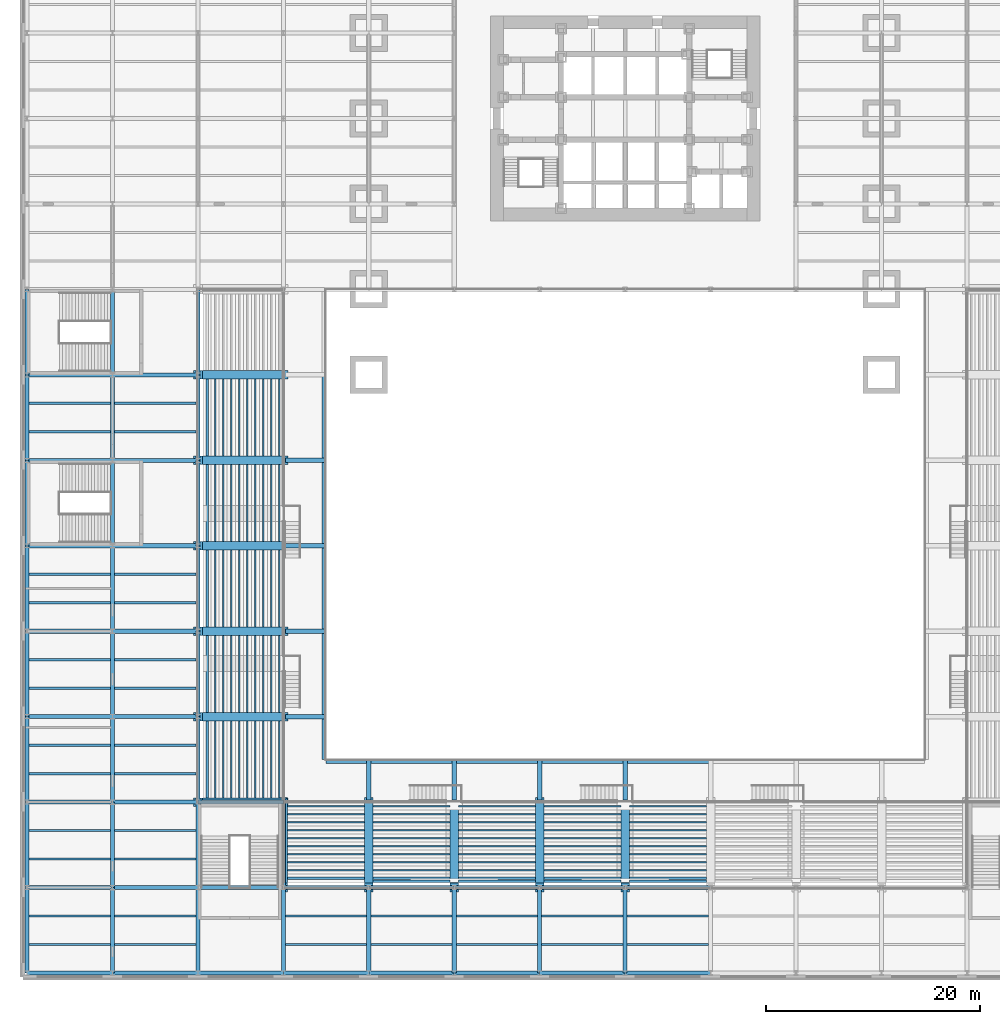
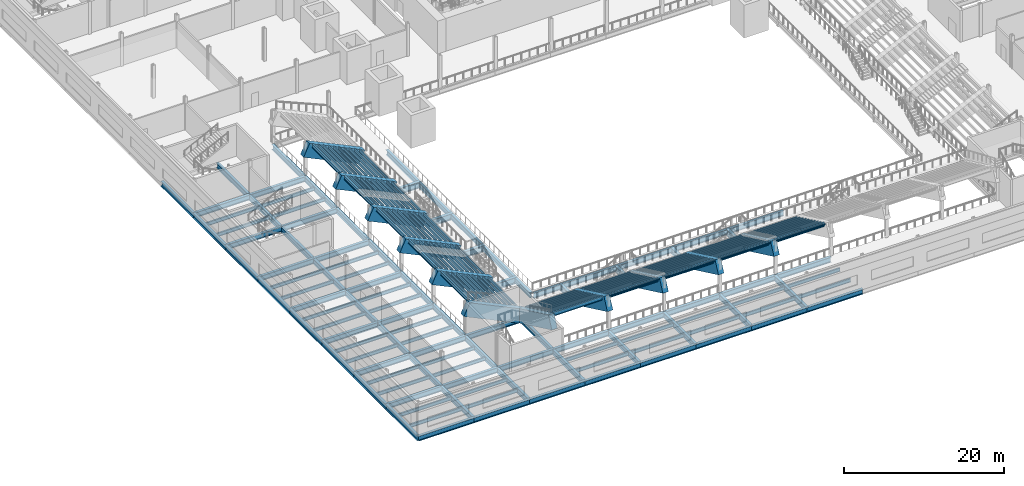
# One storey, part 7 of 27: 224 beams.
"""IFC4 building model written with IfcOpenShell, lengths in metres."""

from ifc_helpers import new_model, si_unit, direction, frame, origin, origin_2d, place, context, subcontext, project, spatial, rectangle, i_section, extrude, material, material_profile, profile_set, type_object, element, save


model = new_model("IFC4")

# Units and contexts
model_context = context("Model", 3, precision=1e-05, world=origin(), true_north=direction((0.0, 1.0)))
body_context = subcontext(model_context, "Body", "Model", "MODEL_VIEW")
ifc_project = project(units=[si_unit("LENGTHUNIT", "METRE"), si_unit("AREAUNIT", "SQUARE_METRE"), si_unit("VOLUMEUNIT", "CUBIC_METRE"), si_unit("PLANEANGLEUNIT", "RADIAN"), si_unit("MASSUNIT", "GRAM", prefix="KILO")], contexts=[model_context])

# Site, building, storey
site_placement = place(None, origin())
site = spatial("IfcSite", under=ifc_project, at=site_placement, CompositionType="ELEMENT")
building_placement = place(site_placement, origin())
building = spatial("IfcBuilding", under=site, at=building_placement, Name="Daluyong Arena Tower", CompositionType="ELEMENT")
storey_placement = place(building_placement, frame((0.0, 0.0, 14.89990234375)))
storey = spatial("IfcBuildingStorey", under=building, at=storey_placement, Name="L03", CompositionType="ELEMENT", Elevation=14.89990234375)

# Beams
ifc_material_1 = material(Name="Steel ASTM A992 Grade 50", Category="steel")
ifc_material_profile_1 = material_profile(ifc_material_1, i_section(OverallWidth=0.424072265625, OverallDepth=0.947509765625, WebThickness=0.02392578125, FlangeThickness=0.042724609375, at=origin_2d()))
ifc_profile_set_1 = profile_set([ifc_material_profile_1], Name="Steel ASTM A992 Grade 50")
beam_type_1 = type_object("IfcBeamType", Name="Cross-aisle bracket W36X302", PredefinedType="BEAM", material=ifc_profile_set_1)
for number, where, z_axis, x_axis, name in (
    (1, (24.203125, 24.0, -0.773681640625), (1.0, 0.0, 0.0), (0.0, 1.0, 0.0), "cross-aisle bracket CB1"),
    (2, (24.203125, 32.0, -0.773681640625), (1.0, 0.0, 0.0), (0.0, 1.0, 0.0), "cross-aisle bracket CB1"),
    (3, (24.203125, 40.0, -0.773681640625), (1.0, 0.0, 0.0), (0.0, 1.0, 0.0), "cross-aisle bracket CB1"),
    (4, (24.203125, 48.0, -0.773681640625), (1.0, 0.0, 0.0), (0.0, 1.0, 0.0), "cross-aisle bracket CB1"),
    (5, (32.0, 16.203125, -0.773681640625), (0.0, 1.0, 0.0), (-1.0, 0.0, 0.0), "cross-aisle bracket CB1"),
    (6, (40.0, 16.203125, -0.773681640625), (0.0, 1.0, 0.0), (-1.0, 0.0, 0.0), "cross-aisle bracket CB1"),
    (7, (48.0, 16.203125, -0.773681640625), (0.0, 1.0, 0.0), (-1.0, 0.0, 0.0), "cross-aisle bracket CB1"),
    (8, (56.0, 16.203125, -0.773681640625), (0.0, 1.0, 0.0), (-1.0, 0.0, 0.0), "cross-aisle bracket CB1"),
):
    element("IfcBeam", number, at=place(storey_placement, frame(where, z_axis=z_axis, x_axis=x_axis)), inside=storey, type_object=beam_type_1, Name=name, PredefinedType="BEAM", context=body_context, shape_type="SweptSolid", body=[
        extrude(i_section(OverallWidth=0.424072265625, OverallDepth=0.947509765625, WebThickness=0.02392578125, FlangeThickness=0.042724609375, at=origin_2d()), origin(), (0.0, 0.0, 1.0), 3.796875),
    ])
ifc_material_2 = material(Name="Steel ASTM A992 Grade 50", Category="steel")
ifc_material_profile_2 = material_profile(ifc_material_2, i_section(OverallWidth=0.381103515625, OverallDepth=0.772216796875, WebThickness=0.0166015625, FlangeThickness=0.027099609375, at=origin_2d()))
ifc_profile_set_2 = profile_set([ifc_material_profile_2], Name="Steel ASTM A992 Grade 50")
beam_type_2 = type_object("IfcBeamType", Name="Cross-aisle edge beam W30X173", PredefinedType="BEAM", material=ifc_profile_set_2)
beam_1_placement = place(storey_placement, frame((27.8095703125, 20.0, -0.68603515625), z_axis=(0.0, 1.0, 0.0), x_axis=(-1.0, 0.0, 0.0)))
element("IfcBeam", 9, at=beam_1_placement, inside=storey, type_object=beam_type_2, Name="cross-aisle edge beam CE1", PredefinedType="BEAM", context=body_context, shape_type="SweptSolid", body=[
    extrude(i_section(OverallWidth=0.381103515625, OverallDepth=0.772216796875, WebThickness=0.0166015625, FlangeThickness=0.027099609375, at=origin_2d()), origin(), (0.0, 0.0, 1.0), 12.0),
])
for number, where, z_axis, x_axis, name in (
    (10, (27.8095703125, 32.0, -0.68603515625), (0.0, 1.0, 0.0), (-1.0, 0.0, 0.0), "cross-aisle edge beam CE1"),
    (11, (27.8095703125, 40.0, -0.68603515625), (0.0, 1.0, 0.0), (-1.0, 0.0, 0.0), "cross-aisle edge beam CE1"),
    (12, (27.8095703125, 48.0, -0.68603515625), (0.0, 1.0, 0.0), (-1.0, 0.0, 0.0), "cross-aisle edge beam CE1"),
):
    element("IfcBeam", number, at=place(storey_placement, frame(where, z_axis=z_axis, x_axis=x_axis)), inside=storey, type_object=beam_type_2, Name=name, PredefinedType="BEAM", context=body_context, shape_type="SweptSolid", body=[
        extrude(i_section(OverallWidth=0.381103515625, OverallDepth=0.772216796875, WebThickness=0.0166015625, FlangeThickness=0.027099609375, at=origin_2d()), origin(), (0.0, 0.0, 1.0), 8.0),
    ])
beam_2_placement = place(storey_placement, frame((28.0, 19.8095703125, -0.68603515625), z_axis=(1.0, 0.0, 0.0), x_axis=(0.0, 1.0, 0.0)))
element("IfcBeam", 13, at=beam_2_placement, inside=storey, type_object=beam_type_2, Name="cross-aisle edge beam CE1", PredefinedType="BEAM", context=body_context, shape_type="SweptSolid", body=[
    extrude(i_section(OverallWidth=0.381103515625, OverallDepth=0.772216796875, WebThickness=0.0166015625, FlangeThickness=0.027099609375, at=origin_2d()), origin(), (0.0, 0.0, 1.0), 12.0),
])
for number, where, z_axis, x_axis, name in (
    (14, (40.0, 19.8095703125, -0.68603515625), (1.0, 0.0, 0.0), (0.0, 1.0, 0.0), "cross-aisle edge beam CE1"),
    (15, (48.0, 19.8095703125, -0.68603515625), (1.0, 0.0, 0.0), (0.0, 1.0, 0.0), "cross-aisle edge beam CE1"),
    (16, (56.0, 19.8095703125, -0.68603515625), (1.0, 0.0, 0.0), (0.0, 1.0, 0.0), "cross-aisle edge beam CE1"),
):
    element("IfcBeam", number, at=place(storey_placement, frame(where, z_axis=z_axis, x_axis=x_axis)), inside=storey, type_object=beam_type_2, Name=name, PredefinedType="BEAM", context=body_context, shape_type="SweptSolid", body=[
        extrude(i_section(OverallWidth=0.381103515625, OverallDepth=0.772216796875, WebThickness=0.0166015625, FlangeThickness=0.027099609375, at=origin_2d()), origin(), (0.0, 0.0, 1.0), 8.0),
    ])
ifc_material_3 = material(Name="Steel ASTM A992 Grade 50", Category="steel")
ifc_material_profile_3 = material_profile(ifc_material_3, i_section(OverallWidth=0.209228515625, OverallDepth=0.533447265625, WebThickness=0.01025390625, FlangeThickness=0.015625, at=origin_2d()))
ifc_profile_set_3 = profile_set([ifc_material_profile_3], Name="Steel ASTM A992 Grade 50")
beam_type_3 = type_object("IfcBeamType", Name="Podium floor beam W21X62", PredefinedType="BEAM", material=ifc_profile_set_3)
for number, where, z_axis, x_axis, name in (
    (17, (0.1904296875, 2.666748046875, -0.466552734375), (1.0, 0.0, 0.0), (0.0, 1.0, 0.0), "podium floor beam PB1"),
    (18, (0.1904296875, 5.333251953125, -0.466552734375), (1.0, 0.0, 0.0), (0.0, 1.0, 0.0), "podium floor beam PB1"),
    (19, (0.1904296875, 10.666748046875, -0.466552734375), (1.0, 0.0, 0.0), (0.0, 1.0, 0.0), "podium floor beam PB1"),
    (20, (0.1904296875, 13.333251953125, -0.466552734375), (1.0, 0.0, 0.0), (0.0, 1.0, 0.0), "podium floor beam PB1"),
    (21, (0.1904296875, 18.666748046875, -0.466552734375), (1.0, 0.0, 0.0), (0.0, 1.0, 0.0), "podium floor beam PB1"),
    (22, (0.1904296875, 21.333251953125, -0.466552734375), (1.0, 0.0, 0.0), (0.0, 1.0, 0.0), "podium floor beam PB1"),
    (23, (0.1904296875, 26.666748046875, -0.466552734375), (1.0, 0.0, 0.0), (0.0, 1.0, 0.0), "podium floor beam PB1"),
    (24, (0.1904296875, 29.333251953125, -0.466552734375), (1.0, 0.0, 0.0), (0.0, 1.0, 0.0), "podium floor beam PB1"),
    (25, (0.1904296875, 34.666748046875, -0.466552734375), (1.0, 0.0, 0.0), (0.0, 1.0, 0.0), "podium floor beam PB1"),
    (26, (0.1904296875, 37.333251953125, -0.466552734375), (1.0, 0.0, 0.0), (0.0, 1.0, 0.0), "podium floor beam PB1"),
    (27, (0.1904296875, 50.666748046875, -0.466552734375), (1.0, 0.0, 0.0), (0.0, 1.0, 0.0), "podium floor beam PB1"),
    (28, (0.1904296875, 53.333251953125, -0.466552734375), (1.0, 0.0, 0.0), (0.0, 1.0, 0.0), "podium floor beam PB1"),
    (29, (8.1904296875, 2.666748046875, -0.466552734375), (1.0, 0.0, 0.0), (0.0, 1.0, 0.0), "podium floor beam PB1"),
    (30, (8.1904296875, 5.333251953125, -0.466552734375), (1.0, 0.0, 0.0), (0.0, 1.0, 0.0), "podium floor beam PB1"),
    (31, (8.1904296875, 10.666748046875, -0.466552734375), (1.0, 0.0, 0.0), (0.0, 1.0, 0.0), "podium floor beam PB1"),
    (32, (8.1904296875, 13.333251953125, -0.466552734375), (1.0, 0.0, 0.0), (0.0, 1.0, 0.0), "podium floor beam PB1"),
    (33, (8.1904296875, 18.666748046875, -0.466552734375), (1.0, 0.0, 0.0), (0.0, 1.0, 0.0), "podium floor beam PB1"),
    (34, (8.1904296875, 21.333251953125, -0.466552734375), (1.0, 0.0, 0.0), (0.0, 1.0, 0.0), "podium floor beam PB1"),
    (35, (8.1904296875, 26.666748046875, -0.466552734375), (1.0, 0.0, 0.0), (0.0, 1.0, 0.0), "podium floor beam PB1"),
    (36, (8.1904296875, 29.333251953125, -0.466552734375), (1.0, 0.0, 0.0), (0.0, 1.0, 0.0), "podium floor beam PB1"),
    (37, (8.1904296875, 34.666748046875, -0.466552734375), (1.0, 0.0, 0.0), (0.0, 1.0, 0.0), "podium floor beam PB1"),
    (38, (8.1904296875, 37.333251953125, -0.466552734375), (1.0, 0.0, 0.0), (0.0, 1.0, 0.0), "podium floor beam PB1"),
    (39, (8.1904296875, 50.666748046875, -0.466552734375), (1.0, 0.0, 0.0), (0.0, 1.0, 0.0), "podium floor beam PB1"),
    (40, (8.1904296875, 53.333251953125, -0.466552734375), (1.0, 0.0, 0.0), (0.0, 1.0, 0.0), "podium floor beam PB1"),
    (41, (24.1904296875, 2.666748046875, -0.466552734375), (1.0, 0.0, 0.0), (0.0, 1.0, 0.0), "podium floor beam PB1"),
    (42, (24.1904296875, 5.333251953125, -0.466552734375), (1.0, 0.0, 0.0), (0.0, 1.0, 0.0), "podium floor beam PB1"),
    (43, (32.1904296875, 2.666748046875, -0.466552734375), (1.0, 0.0, 0.0), (0.0, 1.0, 0.0), "podium floor beam PB1"),
    (44, (32.1904296875, 5.333251953125, -0.466552734375), (1.0, 0.0, 0.0), (0.0, 1.0, 0.0), "podium floor beam PB1"),
    (45, (40.1904296875, 2.666748046875, -0.466552734375), (1.0, 0.0, 0.0), (0.0, 1.0, 0.0), "podium floor beam PB1"),
    (46, (40.1904296875, 5.333251953125, -0.466552734375), (1.0, 0.0, 0.0), (0.0, 1.0, 0.0), "podium floor beam PB1"),
    (47, (48.1904296875, 2.666748046875, -0.466552734375), (1.0, 0.0, 0.0), (0.0, 1.0, 0.0), "podium floor beam PB1"),
    (48, (48.1904296875, 5.333251953125, -0.466552734375), (1.0, 0.0, 0.0), (0.0, 1.0, 0.0), "podium floor beam PB1"),
    (49, (56.1904296875, 2.666748046875, -0.466552734375), (1.0, 0.0, 0.0), (0.0, 1.0, 0.0), "podium floor beam PB1"),
    (50, (56.1904296875, 5.333251953125, -0.466552734375), (1.0, 0.0, 0.0), (0.0, 1.0, 0.0), "podium floor beam PB1"),
):
    element("IfcBeam", number, at=place(storey_placement, frame(where, z_axis=z_axis, x_axis=x_axis)), inside=storey, type_object=beam_type_3, Name=name, PredefinedType="BEAM", context=body_context, shape_type="SweptSolid", body=[
        extrude(i_section(OverallWidth=0.209228515625, OverallDepth=0.533447265625, WebThickness=0.01025390625, FlangeThickness=0.015625, at=origin_2d()), origin(), (0.0, 0.0, 1.0), 7.619140625),
    ])
ifc_material_4 = material(Name="Steel ASTM A992 Grade 50", Category="steel")
ifc_material_profile_4 = material_profile(ifc_material_4, i_section(OverallWidth=0.381103515625, OverallDepth=0.772216796875, WebThickness=0.0166015625, FlangeThickness=0.027099609375, at=origin_2d()))
ifc_profile_set_4 = profile_set([ifc_material_profile_4], Name="Steel ASTM A992 Grade 50")
beam_type_4 = type_object("IfcBeamType", Name="Podium girder W30X173", PredefinedType="BEAM", material=ifc_profile_set_4)
for number, where, z_axis, x_axis, name in (
    (51, (0.0, 0.0, -0.5859375), (1.0, 0.0, 0.0), (0.0, 1.0, 0.0), "podium girder PG1"),
    (52, (0.0, 0.0, -0.5859375), (0.0, 1.0, 0.0), (-1.0, 0.0, 0.0), "podium girder PG1"),
    (53, (0.0, 8.0, -0.5859375), (1.0, 0.0, 0.0), (0.0, 1.0, 0.0), "podium girder PG1"),
    (54, (0.0, 8.0, -0.5859375), (0.0, 1.0, 0.0), (-1.0, 0.0, 0.0), "podium girder PG1"),
    (55, (0.0, 16.0, -0.5859375), (1.0, 0.0, 0.0), (0.0, 1.0, 0.0), "podium girder PG1"),
    (56, (0.0, 16.0, -0.5859375), (0.0, 1.0, 0.0), (-1.0, 0.0, 0.0), "podium girder PG1"),
    (57, (0.0, 24.0, -0.5859375), (1.0, 0.0, 0.0), (0.0, 1.0, 0.0), "podium girder PG1"),
    (58, (0.0, 24.0, -0.5859375), (0.0, 1.0, 0.0), (-1.0, 0.0, 0.0), "podium girder PG1"),
    (59, (0.0, 32.0, -0.5859375), (1.0, 0.0, 0.0), (0.0, 1.0, 0.0), "podium girder PG1"),
    (60, (0.0, 32.0, -0.5859375), (0.0, 1.0, 0.0), (-1.0, 0.0, 0.0), "podium girder PG1"),
    (61, (0.0, 40.0, -0.5859375), (1.0, 0.0, 0.0), (0.0, 1.0, 0.0), "podium girder PG1"),
    (62, (0.0, 40.0, -0.5859375), (0.0, 1.0, 0.0), (-1.0, 0.0, 0.0), "podium girder PG1"),
    (63, (0.0, 48.0, -0.5859375), (1.0, 0.0, 0.0), (0.0, 1.0, 0.0), "podium girder PG1"),
    (64, (0.0, 48.0, -0.5859375), (0.0, 1.0, 0.0), (-1.0, 0.0, 0.0), "podium girder PG1"),
    (65, (0.0, 56.0, -0.5859375), (1.0, 0.0, 0.0), (0.0, 1.0, 0.0), "podium girder PG1"),
    (66, (0.0, 56.0, -0.5859375), (0.0, 1.0, 0.0), (-1.0, 0.0, 0.0), "podium girder PG1"),
    (67, (8.0, 0.0, -0.5859375), (1.0, 0.0, 0.0), (0.0, 1.0, 0.0), "podium girder PG1"),
    (68, (8.0, 0.0, -0.5859375), (0.0, 1.0, 0.0), (-1.0, 0.0, 0.0), "podium girder PG1"),
    (69, (8.0, 8.0, -0.5859375), (1.0, 0.0, 0.0), (0.0, 1.0, 0.0), "podium girder PG1"),
    (70, (8.0, 8.0, -0.5859375), (0.0, 1.0, 0.0), (-1.0, 0.0, 0.0), "podium girder PG1"),
    (71, (8.0, 16.0, -0.5859375), (1.0, 0.0, 0.0), (0.0, 1.0, 0.0), "podium girder PG1"),
    (72, (8.0, 16.0, -0.5859375), (0.0, 1.0, 0.0), (-1.0, 0.0, 0.0), "podium girder PG1"),
    (73, (8.0, 24.0, -0.5859375), (1.0, 0.0, 0.0), (0.0, 1.0, 0.0), "podium girder PG1"),
    (74, (8.0, 24.0, -0.5859375), (0.0, 1.0, 0.0), (-1.0, 0.0, 0.0), "podium girder PG1"),
    (75, (8.0, 32.0, -0.5859375), (1.0, 0.0, 0.0), (0.0, 1.0, 0.0), "podium girder PG1"),
    (76, (8.0, 32.0, -0.5859375), (0.0, 1.0, 0.0), (-1.0, 0.0, 0.0), "podium girder PG1"),
    (77, (8.0, 40.0, -0.5859375), (1.0, 0.0, 0.0), (0.0, 1.0, 0.0), "podium girder PG1"),
    (78, (8.0, 40.0, -0.5859375), (0.0, 1.0, 0.0), (-1.0, 0.0, 0.0), "podium girder PG1"),
    (79, (8.0, 48.0, -0.5859375), (1.0, 0.0, 0.0), (0.0, 1.0, 0.0), "podium girder PG1"),
    (80, (8.0, 48.0, -0.5859375), (0.0, 1.0, 0.0), (-1.0, 0.0, 0.0), "podium girder PG1"),
    (81, (8.0, 56.0, -0.5859375), (1.0, 0.0, 0.0), (0.0, 1.0, 0.0), "podium girder PG1"),
    (82, (8.0, 56.0, -0.5859375), (0.0, 1.0, 0.0), (-1.0, 0.0, 0.0), "podium girder PG1"),
    (83, (16.0, 0.0, -0.5859375), (1.0, 0.0, 0.0), (0.0, 1.0, 0.0), "podium girder PG1"),
    (84, (16.0, 0.0, -0.5859375), (0.0, 1.0, 0.0), (-1.0, 0.0, 0.0), "podium girder PG1"),
    (85, (16.0, 8.0, -0.5859375), (1.0, 0.0, 0.0), (0.0, 1.0, 0.0), "podium girder PG1"),
    (86, (16.0, 8.0, -0.5859375), (0.0, 1.0, 0.0), (-1.0, 0.0, 0.0), "podium girder PG1"),
    (87, (16.0, 16.0, -0.5859375), (1.0, 0.0, 0.0), (0.0, 1.0, 0.0), "podium girder PG1"),
    (88, (16.0, 16.0, -0.5859375), (0.0, 1.0, 0.0), (-1.0, 0.0, 0.0), "podium girder PG1"),
    (89, (16.0, 24.0, -0.5859375), (0.0, 1.0, 0.0), (-1.0, 0.0, 0.0), "podium girder PG1"),
    (90, (16.0, 32.0, -0.5859375), (0.0, 1.0, 0.0), (-1.0, 0.0, 0.0), "podium girder PG1"),
    (91, (16.0, 40.0, -0.5859375), (0.0, 1.0, 0.0), (-1.0, 0.0, 0.0), "podium girder PG1"),
    (92, (16.0, 48.0, -0.5859375), (0.0, 1.0, 0.0), (-1.0, 0.0, 0.0), "podium girder PG1"),
    (93, (16.0, 56.0, -0.5859375), (0.0, 1.0, 0.0), (-1.0, 0.0, 0.0), "podium girder PG1"),
    (94, (24.0, 0.0, -0.5859375), (1.0, 0.0, 0.0), (0.0, 1.0, 0.0), "podium girder PG1"),
    (95, (24.0, 0.0, -0.5859375), (0.0, 1.0, 0.0), (-1.0, 0.0, 0.0), "podium girder PG1"),
    (96, (24.0, 8.0, -0.5859375), (1.0, 0.0, 0.0), (0.0, 1.0, 0.0), "podium girder PG1"),
    (97, (24.0, 8.0, -0.5859375), (0.0, 1.0, 0.0), (-1.0, 0.0, 0.0), "podium girder PG1"),
    (98, (32.0, 0.0, -0.5859375), (1.0, 0.0, 0.0), (0.0, 1.0, 0.0), "podium girder PG1"),
    (99, (32.0, 0.0, -0.5859375), (0.0, 1.0, 0.0), (-1.0, 0.0, 0.0), "podium girder PG1"),
    (100, (32.0, 8.0, -0.5859375), (1.0, 0.0, 0.0), (0.0, 1.0, 0.0), "podium girder PG1"),
    (101, (40.0, 0.0, -0.5859375), (1.0, 0.0, 0.0), (0.0, 1.0, 0.0), "podium girder PG1"),
    (102, (40.0, 0.0, -0.5859375), (0.0, 1.0, 0.0), (-1.0, 0.0, 0.0), "podium girder PG1"),
    (103, (40.0, 8.0, -0.5859375), (1.0, 0.0, 0.0), (0.0, 1.0, 0.0), "podium girder PG1"),
    (104, (48.0, 0.0, -0.5859375), (1.0, 0.0, 0.0), (0.0, 1.0, 0.0), "podium girder PG1"),
    (105, (48.0, 0.0, -0.5859375), (0.0, 1.0, 0.0), (-1.0, 0.0, 0.0), "podium girder PG1"),
    (106, (48.0, 8.0, -0.5859375), (1.0, 0.0, 0.0), (0.0, 1.0, 0.0), "podium girder PG1"),
    (107, (56.0, 0.0, -0.5859375), (1.0, 0.0, 0.0), (0.0, 1.0, 0.0), "podium girder PG1"),
    (108, (56.0, 0.0, -0.5859375), (0.0, 1.0, 0.0), (-1.0, 0.0, 0.0), "podium girder PG1"),
    (109, (56.0, 8.0, -0.5859375), (1.0, 0.0, 0.0), (0.0, 1.0, 0.0), "podium girder PG1"),
):
    element("IfcBeam", number, at=place(storey_placement, frame(where, z_axis=z_axis, x_axis=x_axis)), inside=storey, type_object=beam_type_4, Name=name, PredefinedType="BEAM", context=body_context, shape_type="SweptSolid", body=[
        extrude(i_section(OverallWidth=0.381103515625, OverallDepth=0.772216796875, WebThickness=0.0166015625, FlangeThickness=0.027099609375, at=origin_2d()), origin(), (0.0, 0.0, 1.0), 8.0),
    ])
ifc_material_5 = material(Name="Steel ASTM A992 Grade 50", Category="steel")
ifc_material_profile_5 = material_profile(ifc_material_5, i_section(OverallWidth=0.140380859375, OverallDepth=0.40380859375, WebThickness=0.007080078125, FlangeThickness=0.01123046875, at=origin_2d()))
ifc_profile_set_5 = profile_set([ifc_material_profile_5], Name="Steel ASTM A992 Grade 50")
beam_type_5 = type_object("IfcBeamType", Name="Seating beam W16X31", PredefinedType="BEAM", material=ifc_profile_set_5)
for number, where, z_axis, x_axis, name in (
    (110, (23.625, 16.39990234375, 1.226806640625), (0.0, 1.0, 0.0), (-1.0, 0.0, 0.0), "seating beam SN1"),
    (111, (23.625, 24.39990234375, 1.226806640625), (0.0, 1.0, 0.0), (-1.0, 0.0, 0.0), "seating beam SN1"),
    (112, (23.625, 32.39990234375, 1.226806640625), (0.0, 1.0, 0.0), (-1.0, 0.0, 0.0), "seating beam SN1"),
    (113, (23.625, 40.39990234375, 1.226806640625), (0.0, 1.0, 0.0), (-1.0, 0.0, 0.0), "seating beam SN1"),
    (114, (23.625, 48.39990234375, 1.226806640625), (0.0, 1.0, 0.0), (-1.0, 0.0, 0.0), "seating beam SN1"),
    (115, (24.39990234375, 15.625, 1.226806640625), (1.0, 0.0, 0.0), (0.0, 1.0, 0.0), "seating beam SN1"),
    (116, (32.39990234375, 15.625, 1.226806640625), (1.0, 0.0, 0.0), (0.0, 1.0, 0.0), "seating beam SN1"),
    (117, (40.39990234375, 15.625, 1.226806640625), (1.0, 0.0, 0.0), (0.0, 1.0, 0.0), "seating beam SN1"),
    (118, (48.39990234375, 15.625, 1.226806640625), (1.0, 0.0, 0.0), (0.0, 1.0, 0.0), "seating beam SN1"),
    (119, (56.39990234375, 15.625, 1.226806640625), (1.0, 0.0, 0.0), (0.0, 1.0, 0.0), "seating beam SN1"),
    (120, (22.875, 16.39990234375, 1.583984375), (0.0, 1.0, 0.0), (-1.0, 0.0, 0.0), "seating beam SN1"),
    (121, (22.875, 24.39990234375, 1.583984375), (0.0, 1.0, 0.0), (-1.0, 0.0, 0.0), "seating beam SN1"),
    (122, (22.875, 32.39990234375, 1.583984375), (0.0, 1.0, 0.0), (-1.0, 0.0, 0.0), "seating beam SN1"),
    (123, (22.875, 40.39990234375, 1.583984375), (0.0, 1.0, 0.0), (-1.0, 0.0, 0.0), "seating beam SN1"),
    (124, (22.875, 48.39990234375, 1.583984375), (0.0, 1.0, 0.0), (-1.0, 0.0, 0.0), "seating beam SN1"),
    (125, (24.39990234375, 14.875, 1.583984375), (1.0, 0.0, 0.0), (0.0, 1.0, 0.0), "seating beam SN1"),
    (126, (32.39990234375, 14.875, 1.583984375), (1.0, 0.0, 0.0), (0.0, 1.0, 0.0), "seating beam SN1"),
    (127, (40.39990234375, 14.875, 1.583984375), (1.0, 0.0, 0.0), (0.0, 1.0, 0.0), "seating beam SN1"),
    (128, (48.39990234375, 14.875, 1.583984375), (1.0, 0.0, 0.0), (0.0, 1.0, 0.0), "seating beam SN1"),
    (129, (56.39990234375, 14.875, 1.583984375), (1.0, 0.0, 0.0), (0.0, 1.0, 0.0), "seating beam SN1"),
    (130, (22.125, 16.39990234375, 1.94091796875), (0.0, 1.0, 0.0), (-1.0, 0.0, 0.0), "seating beam SN1"),
    (131, (22.125, 24.39990234375, 1.94091796875), (0.0, 1.0, 0.0), (-1.0, 0.0, 0.0), "seating beam SN1"),
    (132, (22.125, 32.39990234375, 1.94091796875), (0.0, 1.0, 0.0), (-1.0, 0.0, 0.0), "seating beam SN1"),
    (133, (22.125, 40.39990234375, 1.94091796875), (0.0, 1.0, 0.0), (-1.0, 0.0, 0.0), "seating beam SN1"),
    (134, (22.125, 48.39990234375, 1.94091796875), (0.0, 1.0, 0.0), (-1.0, 0.0, 0.0), "seating beam SN1"),
    (135, (24.39990234375, 14.125, 1.94091796875), (1.0, 0.0, 0.0), (0.0, 1.0, 0.0), "seating beam SN1"),
    (136, (32.39990234375, 14.125, 1.94091796875), (1.0, 0.0, 0.0), (0.0, 1.0, 0.0), "seating beam SN1"),
    (137, (40.39990234375, 14.125, 1.94091796875), (1.0, 0.0, 0.0), (0.0, 1.0, 0.0), "seating beam SN1"),
    (138, (48.39990234375, 14.125, 1.94091796875), (1.0, 0.0, 0.0), (0.0, 1.0, 0.0), "seating beam SN1"),
    (139, (56.39990234375, 14.125, 1.94091796875), (1.0, 0.0, 0.0), (0.0, 1.0, 0.0), "seating beam SN1"),
    (140, (21.375, 16.39990234375, 2.298095703125), (0.0, 1.0, 0.0), (-1.0, 0.0, 0.0), "seating beam SN1"),
    (141, (21.375, 24.39990234375, 2.298095703125), (0.0, 1.0, 0.0), (-1.0, 0.0, 0.0), "seating beam SN1"),
    (142, (21.375, 32.39990234375, 2.298095703125), (0.0, 1.0, 0.0), (-1.0, 0.0, 0.0), "seating beam SN1"),
    (143, (21.375, 40.39990234375, 2.298095703125), (0.0, 1.0, 0.0), (-1.0, 0.0, 0.0), "seating beam SN1"),
    (144, (21.375, 48.39990234375, 2.298095703125), (0.0, 1.0, 0.0), (-1.0, 0.0, 0.0), "seating beam SN1"),
    (145, (24.39990234375, 13.375, 2.298095703125), (1.0, 0.0, 0.0), (0.0, 1.0, 0.0), "seating beam SN1"),
    (146, (32.39990234375, 13.375, 2.298095703125), (1.0, 0.0, 0.0), (0.0, 1.0, 0.0), "seating beam SN1"),
    (147, (40.39990234375, 13.375, 2.298095703125), (1.0, 0.0, 0.0), (0.0, 1.0, 0.0), "seating beam SN1"),
    (148, (48.39990234375, 13.375, 2.298095703125), (1.0, 0.0, 0.0), (0.0, 1.0, 0.0), "seating beam SN1"),
    (149, (56.39990234375, 13.375, 2.298095703125), (1.0, 0.0, 0.0), (0.0, 1.0, 0.0), "seating beam SN1"),
    (150, (20.625, 16.39990234375, 2.6552734375), (0.0, 1.0, 0.0), (-1.0, 0.0, 0.0), "seating beam SN1"),
    (151, (20.625, 24.39990234375, 2.6552734375), (0.0, 1.0, 0.0), (-1.0, 0.0, 0.0), "seating beam SN1"),
    (152, (20.625, 32.39990234375, 2.6552734375), (0.0, 1.0, 0.0), (-1.0, 0.0, 0.0), "seating beam SN1"),
    (153, (20.625, 40.39990234375, 2.6552734375), (0.0, 1.0, 0.0), (-1.0, 0.0, 0.0), "seating beam SN1"),
    (154, (20.625, 48.39990234375, 2.6552734375), (0.0, 1.0, 0.0), (-1.0, 0.0, 0.0), "seating beam SN1"),
    (155, (24.39990234375, 12.625, 2.6552734375), (1.0, 0.0, 0.0), (0.0, 1.0, 0.0), "seating beam SN1"),
    (156, (32.39990234375, 12.625, 2.6552734375), (1.0, 0.0, 0.0), (0.0, 1.0, 0.0), "seating beam SN1"),
    (157, (40.39990234375, 12.625, 2.6552734375), (1.0, 0.0, 0.0), (0.0, 1.0, 0.0), "seating beam SN1"),
    (158, (48.39990234375, 12.625, 2.6552734375), (1.0, 0.0, 0.0), (0.0, 1.0, 0.0), "seating beam SN1"),
    (159, (56.39990234375, 12.625, 2.6552734375), (1.0, 0.0, 0.0), (0.0, 1.0, 0.0), "seating beam SN1"),
    (160, (19.875, 16.39990234375, 3.012451171875), (0.0, 1.0, 0.0), (-1.0, 0.0, 0.0), "seating beam SN1"),
    (161, (19.875, 24.39990234375, 3.012451171875), (0.0, 1.0, 0.0), (-1.0, 0.0, 0.0), "seating beam SN1"),
    (162, (19.875, 32.39990234375, 3.012451171875), (0.0, 1.0, 0.0), (-1.0, 0.0, 0.0), "seating beam SN1"),
    (163, (19.875, 40.39990234375, 3.012451171875), (0.0, 1.0, 0.0), (-1.0, 0.0, 0.0), "seating beam SN1"),
    (164, (19.875, 48.39990234375, 3.012451171875), (0.0, 1.0, 0.0), (-1.0, 0.0, 0.0), "seating beam SN1"),
    (165, (24.39990234375, 11.875, 3.012451171875), (1.0, 0.0, 0.0), (0.0, 1.0, 0.0), "seating beam SN1"),
    (166, (32.39990234375, 11.875, 3.012451171875), (1.0, 0.0, 0.0), (0.0, 1.0, 0.0), "seating beam SN1"),
    (167, (40.39990234375, 11.875, 3.012451171875), (1.0, 0.0, 0.0), (0.0, 1.0, 0.0), "seating beam SN1"),
    (168, (48.39990234375, 11.875, 3.012451171875), (1.0, 0.0, 0.0), (0.0, 1.0, 0.0), "seating beam SN1"),
    (169, (56.39990234375, 11.875, 3.012451171875), (1.0, 0.0, 0.0), (0.0, 1.0, 0.0), "seating beam SN1"),
    (170, (19.125, 16.39990234375, 3.36962890625), (0.0, 1.0, 0.0), (-1.0, 0.0, 0.0), "seating beam SN1"),
    (171, (19.125, 24.39990234375, 3.36962890625), (0.0, 1.0, 0.0), (-1.0, 0.0, 0.0), "seating beam SN1"),
    (172, (19.125, 32.39990234375, 3.36962890625), (0.0, 1.0, 0.0), (-1.0, 0.0, 0.0), "seating beam SN1"),
    (173, (19.125, 40.39990234375, 3.36962890625), (0.0, 1.0, 0.0), (-1.0, 0.0, 0.0), "seating beam SN1"),
    (174, (19.125, 48.39990234375, 3.36962890625), (0.0, 1.0, 0.0), (-1.0, 0.0, 0.0), "seating beam SN1"),
    (175, (24.39990234375, 11.125, 3.36962890625), (1.0, 0.0, 0.0), (0.0, 1.0, 0.0), "seating beam SN1"),
    (176, (32.39990234375, 11.125, 3.36962890625), (1.0, 0.0, 0.0), (0.0, 1.0, 0.0), "seating beam SN1"),
    (177, (40.39990234375, 11.125, 3.36962890625), (1.0, 0.0, 0.0), (0.0, 1.0, 0.0), "seating beam SN1"),
    (178, (48.39990234375, 11.125, 3.36962890625), (1.0, 0.0, 0.0), (0.0, 1.0, 0.0), "seating beam SN1"),
    (179, (56.39990234375, 11.125, 3.36962890625), (1.0, 0.0, 0.0), (0.0, 1.0, 0.0), "seating beam SN1"),
    (180, (18.375, 16.39990234375, 3.726806640625), (0.0, 1.0, 0.0), (-1.0, 0.0, 0.0), "seating beam SN1"),
    (181, (18.375, 24.39990234375, 3.726806640625), (0.0, 1.0, 0.0), (-1.0, 0.0, 0.0), "seating beam SN1"),
    (182, (18.375, 32.39990234375, 3.726806640625), (0.0, 1.0, 0.0), (-1.0, 0.0, 0.0), "seating beam SN1"),
    (183, (18.375, 40.39990234375, 3.726806640625), (0.0, 1.0, 0.0), (-1.0, 0.0, 0.0), "seating beam SN1"),
    (184, (18.375, 48.39990234375, 3.726806640625), (0.0, 1.0, 0.0), (-1.0, 0.0, 0.0), "seating beam SN1"),
    (185, (24.39990234375, 10.375, 3.726806640625), (1.0, 0.0, 0.0), (0.0, 1.0, 0.0), "seating beam SN1"),
    (186, (32.39990234375, 10.375, 3.726806640625), (1.0, 0.0, 0.0), (0.0, 1.0, 0.0), "seating beam SN1"),
    (187, (40.39990234375, 10.375, 3.726806640625), (1.0, 0.0, 0.0), (0.0, 1.0, 0.0), "seating beam SN1"),
    (188, (48.39990234375, 10.375, 3.726806640625), (1.0, 0.0, 0.0), (0.0, 1.0, 0.0), "seating beam SN1"),
    (189, (56.39990234375, 10.375, 3.726806640625), (1.0, 0.0, 0.0), (0.0, 1.0, 0.0), "seating beam SN1"),
    (190, (17.625, 16.39990234375, 4.083984375), (0.0, 1.0, 0.0), (-1.0, 0.0, 0.0), "seating beam SN1"),
    (191, (17.625, 24.39990234375, 4.083984375), (0.0, 1.0, 0.0), (-1.0, 0.0, 0.0), "seating beam SN1"),
    (192, (17.625, 32.39990234375, 4.083984375), (0.0, 1.0, 0.0), (-1.0, 0.0, 0.0), "seating beam SN1"),
    (193, (17.625, 40.39990234375, 4.083984375), (0.0, 1.0, 0.0), (-1.0, 0.0, 0.0), "seating beam SN1"),
    (194, (17.625, 48.39990234375, 4.083984375), (0.0, 1.0, 0.0), (-1.0, 0.0, 0.0), "seating beam SN1"),
    (195, (24.39990234375, 9.625, 4.083984375), (1.0, 0.0, 0.0), (0.0, 1.0, 0.0), "seating beam SN1"),
    (196, (32.39990234375, 9.625, 4.083984375), (1.0, 0.0, 0.0), (0.0, 1.0, 0.0), "seating beam SN1"),
    (197, (40.39990234375, 9.625, 4.083984375), (1.0, 0.0, 0.0), (0.0, 1.0, 0.0), "seating beam SN1"),
    (198, (48.39990234375, 9.625, 4.083984375), (1.0, 0.0, 0.0), (0.0, 1.0, 0.0), "seating beam SN1"),
    (199, (56.39990234375, 9.625, 4.083984375), (1.0, 0.0, 0.0), (0.0, 1.0, 0.0), "seating beam SN1"),
):
    element("IfcBeam", number, at=place(storey_placement, frame(where, z_axis=z_axis, x_axis=x_axis)), inside=storey, type_object=beam_type_5, Name=name, PredefinedType="BEAM", context=body_context, shape_type="SweptSolid", body=[
        extrude(i_section(OverallWidth=0.140380859375, OverallDepth=0.40380859375, WebThickness=0.007080078125, FlangeThickness=0.01123046875, at=origin_2d()), origin(), (0.0, 0.0, 1.0), 7.2001953125),
    ])
ifc_material_6 = material(Name="Steel ASTM A992 Grade 50", Category="steel")
ifc_material_profile_6 = material_profile(ifc_material_6, i_section(OverallWidth=0.22900390625, OverallDepth=0.612060546875, WebThickness=0.011962890625, FlangeThickness=0.01953125, at=origin_2d()))
ifc_profile_set_6 = profile_set([ifc_material_profile_6], Name="Steel ASTM A992 Grade 50")
beam_type_6 = type_object("IfcBeamType", Name="Seating beam W24X84", PredefinedType="BEAM", material=ifc_profile_set_6)
for number, where, z_axis, x_axis, name in (
    (200, (16.875, 16.39990234375, 4.3369140625), (0.0, 1.0, 0.0), (-1.0, 0.0, 0.0), "seating beam SN2"),
    (201, (16.875, 24.39990234375, 4.3369140625), (0.0, 1.0, 0.0), (-1.0, 0.0, 0.0), "seating beam SN2"),
    (202, (16.875, 32.39990234375, 4.3369140625), (0.0, 1.0, 0.0), (-1.0, 0.0, 0.0), "seating beam SN2"),
    (203, (16.875, 40.39990234375, 4.3369140625), (0.0, 1.0, 0.0), (-1.0, 0.0, 0.0), "seating beam SN2"),
    (204, (16.875, 48.39990234375, 4.3369140625), (0.0, 1.0, 0.0), (-1.0, 0.0, 0.0), "seating beam SN2"),
    (205, (24.39990234375, 8.875, 4.3369140625), (1.0, 0.0, 0.0), (0.0, 1.0, 0.0), "seating beam SN2"),
    (206, (32.39990234375, 8.875, 4.3369140625), (1.0, 0.0, 0.0), (0.0, 1.0, 0.0), "seating beam SN2"),
    (207, (40.39990234375, 8.875, 4.3369140625), (1.0, 0.0, 0.0), (0.0, 1.0, 0.0), "seating beam SN2"),
    (208, (48.39990234375, 8.875, 4.3369140625), (1.0, 0.0, 0.0), (0.0, 1.0, 0.0), "seating beam SN2"),
    (209, (56.39990234375, 8.875, 4.3369140625), (1.0, 0.0, 0.0), (0.0, 1.0, 0.0), "seating beam SN2"),
):
    element("IfcBeam", number, at=place(storey_placement, frame(where, z_axis=z_axis, x_axis=x_axis)), inside=storey, type_object=beam_type_6, Name=name, PredefinedType="BEAM", context=body_context, shape_type="SweptSolid", body=[
        extrude(i_section(OverallWidth=0.22900390625, OverallDepth=0.612060546875, WebThickness=0.011962890625, FlangeThickness=0.01953125, at=origin_2d()), origin(), (0.0, 0.0, 1.0), 7.2001953125),
    ])
ifc_material_7 = material(Name="Steel ASTM A992 Grade 50", Category="steel")
ifc_material_profile_7 = material_profile(ifc_material_7, i_section(OverallWidth=0.203125, OverallDepth=0.203125, WebThickness=0.00732421875, FlangeThickness=0.010986328125, at=origin_2d()))
ifc_profile_set_7 = profile_set([ifc_material_profile_7], Name="Steel ASTM A992 Grade 50")
beam_type_7 = type_object("IfcBeamType", Name="Seating edge beam W8X31", PredefinedType="BEAM", material=ifc_profile_set_7)
for number, where, z_axis, x_axis, name in (
    (210, (32.39990234375, 8.6015625, 4.541259765625), (1.0, 0.0, 0.0), (0.0, 1.0, 0.0), "seating edge beam SE1"),
    (211, (40.39990234375, 8.6015625, 4.541259765625), (1.0, 0.0, 0.0), (0.0, 1.0, 0.0), "seating edge beam SE1"),
    (212, (48.39990234375, 8.6015625, 4.541259765625), (1.0, 0.0, 0.0), (0.0, 1.0, 0.0), "seating edge beam SE1"),
    (213, (56.39990234375, 8.6015625, 4.541259765625), (1.0, 0.0, 0.0), (0.0, 1.0, 0.0), "seating edge beam SE1"),
):
    element("IfcBeam", number, at=place(storey_placement, frame(where, z_axis=z_axis, x_axis=x_axis)), inside=storey, type_object=beam_type_7, Name=name, PredefinedType="BEAM", context=body_context, shape_type="SweptSolid", body=[
        extrude(i_section(OverallWidth=0.203125, OverallDepth=0.203125, WebThickness=0.00732421875, FlangeThickness=0.010986328125, at=origin_2d()), origin(), (0.0, 0.0, 1.0), 7.2001953125),
    ])
ifc_material_8 = material(Name="Concrete fc' 45 MPa", Category="concrete")
ifc_material_profile_8 = material_profile(ifc_material_8, rectangle(XDim=0.800048828125, YDim=2.0, at=origin_2d()))
ifc_profile_set_8 = profile_set([ifc_material_profile_8], Name="Concrete fc' 45 MPa")
beam_type_8 = type_object("IfcBeamType", Name="Seating raker RC800X2000", PredefinedType="BEAM", material=ifc_profile_set_8)
for number, where, z_axis, x_axis, name in (
    (214, (24.0, 16.0, 0.071533203125), (-0.902858481619, 0.0, 0.429937858496), (0.0, -1.0, 0.0), "seating raker RK"),
    (215, (24.0, 24.0, 0.071533203125), (-0.902858481619, 0.0, 0.429937858496), (0.0, -1.0, 0.0), "seating raker RK"),
    (216, (24.0, 32.0, 0.071533203125), (-0.902858481619, 0.0, 0.429937858496), (0.0, -1.0, 0.0), "seating raker RK"),
    (217, (24.0, 40.0, 0.071533203125), (-0.902858481619, 0.0, 0.429937858496), (0.0, -1.0, 0.0), "seating raker RK"),
    (218, (24.0, 48.0, 0.071533203125), (-0.902858481619, 0.0, 0.429937858496), (0.0, -1.0, 0.0), "seating raker RK"),
    (219, (24.0, 56.0, 0.071533203125), (-0.902858481619, 0.0, 0.429937858496), (0.0, -1.0, 0.0), "seating raker RK"),
    (220, (24.0, 16.0, 0.071533203125), (0.0, -0.902858481619, 0.429937858496), (1.0, 0.0, 0.0), "seating raker RK"),
    (221, (32.0, 16.0, 0.071533203125), (0.0, -0.902858481619, 0.429937858496), (1.0, 0.0, 0.0), "seating raker RK"),
    (222, (40.0, 16.0, 0.071533203125), (0.0, -0.902858481619, 0.429937858496), (1.0, 0.0, 0.0), "seating raker RK"),
    (223, (48.0, 16.0, 0.071533203125), (0.0, -0.902858481619, 0.429937858496), (1.0, 0.0, 0.0), "seating raker RK"),
    (224, (56.0, 16.0, 0.071533203125), (0.0, -0.902858481619, 0.429937858496), (1.0, 0.0, 0.0), "seating raker RK"),
):
    element("IfcBeam", number, at=place(storey_placement, frame(where, z_axis=z_axis, x_axis=x_axis)), inside=storey, type_object=beam_type_8, Name=name, PredefinedType="BEAM", context=body_context, shape_type="SweptSolid", body=[
        extrude(rectangle(XDim=0.800048828125, YDim=2.0, at=origin_2d()), origin(), (0.0, 0.0, 1.0), 8.86083984375),
    ])

save(model, "model.ifc")
